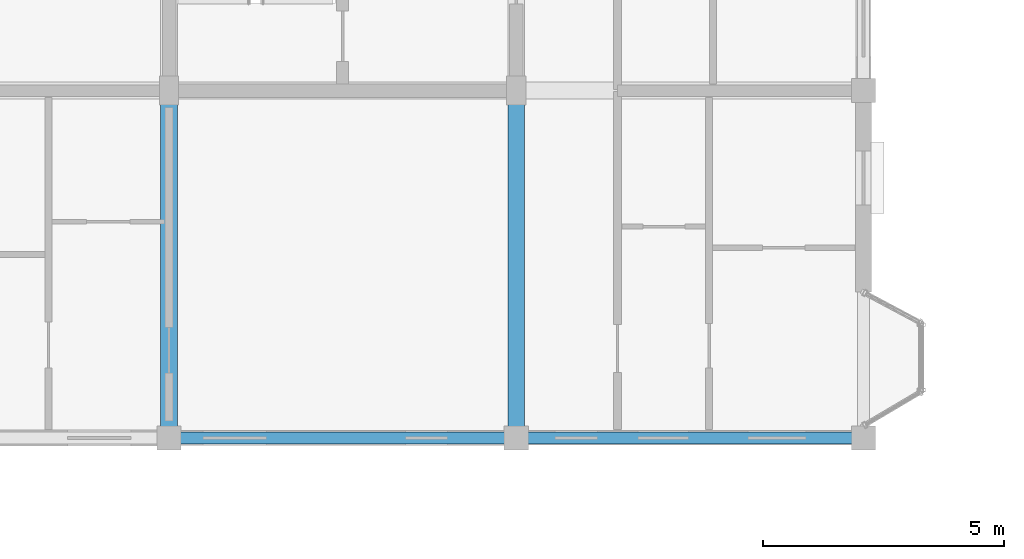
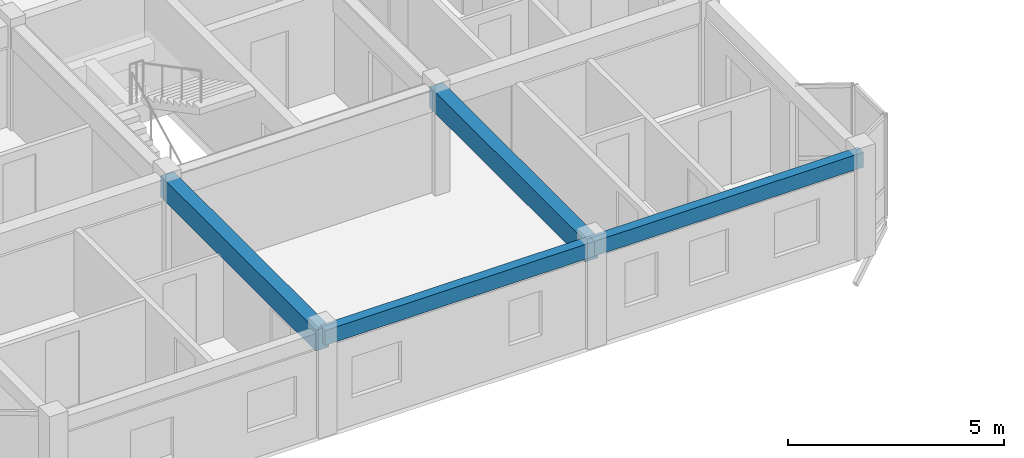
# One storey, part 15 of 70: 4 beams.
"""IFC4 building model written with IfcOpenShell, lengths in metres."""

from ifc_helpers import new_model, si_unit, direction, frame, origin, origin_2d, place, context, subcontext, project, spatial, rectangle, extrude, material, material_profile, profile_set, type_object, element, save


model = new_model("IFC4")

# Units and contexts
model_context = context("Model", 3, precision=1e-05, world=origin(), true_north=direction((0.0, 1.0)))
body_context = subcontext(model_context, "Body", "Model", "MODEL_VIEW")
ifc_project = project(units=[si_unit("LENGTHUNIT", "METRE"), si_unit("AREAUNIT", "SQUARE_METRE"), si_unit("VOLUMEUNIT", "CUBIC_METRE"), si_unit("PLANEANGLEUNIT", "RADIAN"), si_unit("MASSUNIT", "GRAM", prefix="KILO"), si_unit("THERMODYNAMICTEMPERATUREUNIT", "KELVIN"), si_unit("POWERUNIT", "WATT")], contexts=[model_context])

# Site, building, storey
site_placement = place(None, origin())
site = spatial("IfcSite", under=ifc_project, at=site_placement, CompositionType="ELEMENT")
building_placement = place(site_placement, origin())
building = spatial("IfcBuilding", under=site, at=building_placement, Name="Tavuni Mirador Residences", CompositionType="ELEMENT")
storey_placement = place(building_placement, frame((0.0, 0.0, 23.39990234375)))
storey = spatial("IfcBuildingStorey", under=building, at=storey_placement, Name="L07", CompositionType="ELEMENT", Elevation=23.39990234375)

# Beams
ifc_material = material(Name="Precast concrete C40/50", Category="concrete")
ifc_material_profile_1 = material_profile(ifc_material, rectangle(XDim=0.35009765625, YDim=0.60009765625, at=origin_2d()), Name="PC 350x600", Category="concrete")
ifc_profile_set_1 = profile_set([ifc_material_profile_1], Name="Precast concrete C40/50")
beam_type_1 = type_object("IfcBeamType", Name="BT-B600", PredefinedType="BEAM", material=ifc_profile_set_1)
for number, where, z_axis, x_axis, name in (
    (1, (10.800048828125, 64.800048828125, 2.610107421875), (0.0, 1.0, 0.0), (-1.0, 0.0, 0.0), "BMY-BLK-B-L07-01-00"),
    (2, (18.0, 64.800048828125, 2.610107421875), (0.0, 1.0, 0.0), (-1.0, 0.0, 0.0), "BMY-BLK-B-L07-02-00"),
):
    element("IfcBeam", number, at=place(storey_placement, frame(where, z_axis=z_axis, x_axis=x_axis)), inside=storey, type_object=beam_type_1, Name=name, PredefinedType="BEAM", context=body_context, shape_type="SweptSolid", body=[
        extrude(rectangle(XDim=0.35009765625, YDim=0.60009765625, at=origin_2d()), origin(), (0.0, 0.0, 1.0), 7.199951171875),
    ])
ifc_material_profile_2 = material_profile(ifc_material, rectangle(XDim=0.25, YDim=0.419921875, at=origin_2d()), Name="PC 250x420", Category="concrete")
ifc_profile_set_2 = profile_set([ifc_material_profile_2], Name="Precast concrete C40/50")
beam_type_2 = type_object("IfcBeamType", Name="BT-SP420", PredefinedType="SPANDREL", material=ifc_profile_set_2)
for number, where, z_axis, x_axis, name in (
    (3, (10.800048828125, 64.800048828125, 2.7001953125), (1.0, 0.0, 0.0), (0.0, 1.0, 0.0), "BMX-BLK-B-L07-01-00"),
    (4, (18.0, 64.800048828125, 2.7001953125), (1.0, 0.0, 0.0), (0.0, 1.0, 0.0), "BMX-BLK-B-L07-02-00"),
):
    element("IfcBeam", number, at=place(storey_placement, frame(where, z_axis=z_axis, x_axis=x_axis)), inside=storey, type_object=beam_type_2, Name=name, PredefinedType="SPANDREL", context=body_context, shape_type="SweptSolid", body=[
        extrude(rectangle(XDim=0.25, YDim=0.419921875, at=origin_2d()), origin(), (0.0, 0.0, 1.0), 7.199951171875),
    ])

save(model, "model.ifc")
